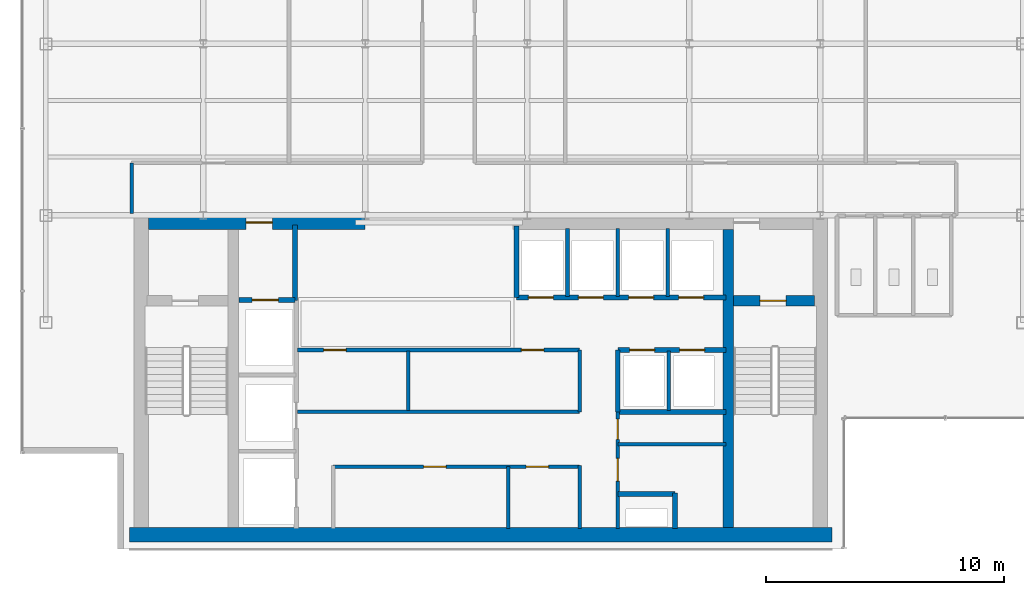
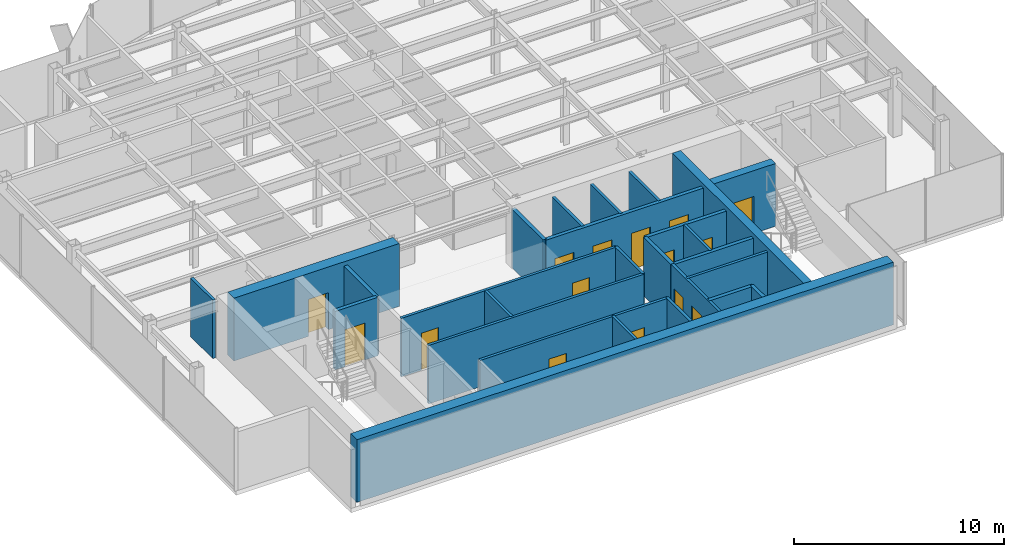
# One storey, part 17 of 22: 27 walls, 15 doors, 15 openings.
"""IFC4 building model written with IfcOpenShell, lengths in metres."""

from ifc_helpers import new_model, si_unit, derived_unit, direction, frame, frame_2d, origin, place, context, subcontext, project, spatial, rectangle, extrude, source, transform, mapped, material, layer, layer_set, type_object, element, fill, save


model = new_model("IFC4")

# Units and contexts
model_context = context("Model", 3, precision=1e-05, world=origin(), true_north=direction((0.0, 1.0)))
body_context = subcontext(model_context, "Body", "Model", "MODEL_VIEW")
ifc_project = project(units=[si_unit("LENGTHUNIT", "METRE"), si_unit("AREAUNIT", "SQUARE_METRE"), si_unit("VOLUMEUNIT", "CUBIC_METRE"), si_unit("PLANEANGLEUNIT", "RADIAN"), si_unit("MASSUNIT", "GRAM", prefix="KILO"), derived_unit("THERMALTRANSMITTANCEUNIT", [(si_unit("POWERUNIT", "WATT"), 1), (si_unit("LENGTHUNIT", "METRE"), -2), (si_unit("THERMODYNAMICTEMPERATUREUNIT", "KELVIN"), -1)])], contexts=[model_context])

# Site, building, storey
site_placement = place(None, origin())
site = spatial("IfcSite", under=ifc_project, at=site_placement, CompositionType="ELEMENT")
building_placement = place(site_placement, origin())
building = spatial("IfcBuilding", under=site, at=building_placement, Name="Skarnbrae Concourse Arena and Tower", CompositionType="ELEMENT")
storey_placement = place(building_placement, frame((0.0, 0.0, 214.14990234375)))
storey = spatial("IfcBuildingStorey", under=building, at=storey_placement, Name="L55", CompositionType="ELEMENT", Elevation=214.14990234375)

# Wall, opening, door
ifc_material_1 = material(Name="Concrete 50 MPa (C50/60)", Category="concrete")
ifc_layer_1 = layer(ifc_material_1, 0.449951171875)
ifc_layer_set_1 = layer_set([ifc_layer_1], Name="Concrete 50 MPa (C50/60)")
wall_type_1 = type_object("IfcWallType", Name="WALL-CORE-450-C50", PredefinedType="SHEAR", material=ifc_layer_set_1)
shared_shape_1 = source(origin(), body_context, "Body", "SweptSolid", [
    extrude(rectangle(XDim=3.389892578125, YDim=0.449951171875, at=frame_2d((1.69482421875, 0.0))), origin(), (0.0, 0.0, 1.0), 3.650146484375),
])
wall_1_placement = place(storey_placement, frame((29.860107421875, 10.419921875, 0.0), z_axis=(0.0, 0.0, 1.0), x_axis=(1.0, 0.0, 0.0)))
wall_1 = element("IfcWall", 1, at=wall_1_placement, inside=storey, type_object=wall_type_1, Name="L55 Rear core shear wall CW-ST2-N", PredefinedType="SHEAR", context=body_context, shape_type="MappedRepresentation", body=[
    mapped(shared_shape_1, transform((0.0, 0.0, 0.0))),
])
opening_1_placement = place(wall_1_placement, frame((1.10009765625, 0.0, 0.0)))
opening_1 = element("IfcOpeningElement", 2, at=opening_1_placement, cuts=wall_1, Name="Opening DT-03", PredefinedType="OPENING", context=body_context, shape_type="SweptSolid", body=[
    extrude(rectangle(XDim=1.10009765625, YDim=2.14990234375, at=frame_2d((0.550048828125, 1.074951171875))), frame((0.0, 0.23486328125, 0.0), z_axis=(0.0, -1.0, 0.0), x_axis=(1.0, 0.0, 0.0)), (0.0, 0.0, 1.0), 0.469970703125),
])
ifc_material_2 = material(Name="Steel CSA G40.21 350W", Category="steel")
door_type_1 = type_object("IfcDoorType", Name="DOOR-FIRE-1100-90M", OperationType="NOTDEFINED", PredefinedType="DOOR", material=ifc_material_2)
shared_shape_2 = source(origin(), body_context, "Body", "SweptSolid", [
    extrude(rectangle(XDim=1.10009765625, YDim=2.14990234375, at=frame_2d((0.550048828125, 1.074951171875))), frame((0.0, 0.02490234375, 0.0), z_axis=(0.0, -1.0, 0.0), x_axis=(1.0, 0.0, 0.0)), (0.0, 0.0, 1.0), 0.050048828125),
])
door_1_placement = place(opening_1_placement, frame((1.10009765625, 0.0, 0.0), z_axis=(0.0, 0.0, 1.0), x_axis=(-1.0, 0.0, 0.0)))
door_1 = element("IfcDoor", 3, at=door_1_placement, inside=storey, type_object=door_type_1, Name="D-1673 Stair ST-2 Door", OperationType="SINGLE_SWING_RIGHT", OverallHeight=2.14990234375, OverallWidth=1.10009765625, PredefinedType="DOOR", context=body_context, shape_type="MappedRepresentation", body=[
    mapped(shared_shape_2, transform((0.0, 0.0, 0.0))),
])
fill(opening_1, door_1)

# Wall
ifc_layer_2 = layer(ifc_material_1, 0.60009765625)
ifc_layer_set_2 = layer_set([ifc_layer_2], Name="Concrete 50 MPa (C50/60)")
wall_type_2 = type_object("IfcWallType", Name="WALL-CORE-600-C50", PredefinedType="SHEAR", material=ifc_layer_set_2)
shared_shape_3 = source(origin(), body_context, "Body", "SweptSolid", [
    extrude(rectangle(XDim=29.5, YDim=0.60009765625, at=frame_2d((14.75, 0.0))), origin(), (0.0, 0.0, 1.0), 3.650146484375),
])
wall_2_placement = place(storey_placement, frame((4.5, 0.60009765625, 0.0), z_axis=(0.0, 0.0, 1.0), x_axis=(1.0, 0.0, 0.0)))
element("IfcWall", 4, at=wall_2_placement, inside=storey, type_object=wall_type_2, Name="L55 Rear core shear wall CW-S", PredefinedType="SHEAR", context=body_context, shape_type="MappedRepresentation", body=[
    mapped(shared_shape_3, transform((0.0, 0.0, 0.0))),
])

# Wall, opening, door
shared_shape_4 = source(origin(), body_context, "Body", "SweptSolid", [
    extrude(rectangle(XDim=9.099853515625, YDim=0.60009765625, at=frame_2d((4.5498046875, 0.0))), origin(), (0.0, 0.0, 1.0), 3.650146484375),
])
wall_3_placement = place(storey_placement, frame((5.300048828125, 13.699951171875, 0.0), z_axis=(0.0, 0.0, 1.0), x_axis=(1.0, 0.0, 0.0)))
wall_3 = element("IfcWall", 5, at=wall_3_placement, inside=storey, type_object=wall_type_2, Name="L55 Rear core shear wall CW-NW", PredefinedType="SHEAR", context=body_context, shape_type="MappedRepresentation", body=[
    mapped(shared_shape_4, transform((0.0, 0.0, 0.0))),
])
opening_2_placement = place(wall_3_placement, frame((4.10009765625, 0.0, 0.0)))
opening_2 = element("IfcOpeningElement", 6, at=opening_2_placement, cuts=wall_3, Name="Opening DT-03", PredefinedType="OPENING", context=body_context, shape_type="SweptSolid", body=[
    extrude(rectangle(XDim=1.10009765625, YDim=2.14990234375, at=frame_2d((0.550048828125, 1.074951171875))), frame((0.0, 0.31005859375, 0.0), z_axis=(0.0, -1.0, 0.0), x_axis=(1.0, 0.0, 0.0)), (0.0, 0.0, 1.0), 0.6201171875),
])
door_2_placement = place(opening_2_placement, origin())
door_2 = element("IfcDoor", 7, at=door_2_placement, inside=storey, type_object=door_type_1, Name="D-1674 Firefighting Lobby Exit Door", OperationType="SINGLE_SWING_RIGHT", OverallHeight=2.14990234375, OverallWidth=1.10009765625, PredefinedType="DOOR", context=body_context, shape_type="MappedRepresentation", body=[
    mapped(shared_shape_2, transform((0.0, 0.0, 0.0))),
])
fill(opening_2, door_2)

# Walls
shared_shape_5 = source(origin(), body_context, "Body", "SweptSolid", [
    extrude(rectangle(XDim=12.5, YDim=0.449951171875, at=frame_2d((6.25, 0.0))), origin(), (0.0, 0.0, 1.0), 3.650146484375),
])
wall_4_placement = place(storey_placement, frame((29.635009765625, 0.89990234375, 0.0), z_axis=(0.0, 0.0, 1.0), x_axis=(0.0, 1.0, 0.0)))
element("IfcWall", 8, at=wall_4_placement, inside=storey, type_object=wall_type_1, Name="L55 Rear core shear wall CW-WEB-E", PredefinedType="SHEAR", context=body_context, shape_type="MappedRepresentation", body=[
    mapped(shared_shape_5, transform((0.0, 0.0, 0.0))),
])
ifc_material_3 = material(Name="Gypsum board on cold-formed steel studs", Category="steel")
ifc_layer_3 = layer(ifc_material_3, 0.199951171875)
ifc_layer_set_3 = layer_set([ifc_layer_3], Name="Gypsum board on cold-formed steel studs")
wall_type_3 = type_object("IfcWallType", Name="WALL-PART-200-2HR", PredefinedType="PARTITIONING", material=ifc_layer_set_3)
shared_shape_6 = source(origin(), body_context, "Body", "SweptSolid", [
    extrude(rectangle(XDim=3.18017578125, YDim=0.199951171875, at=frame_2d((1.590087890625, 0.0))), origin(), (0.0, 0.0, 1.0), 3.400146484375),
])
wall_5_placement = place(storey_placement, frame((11.449951171875, 10.419921875, 0.0), z_axis=(0.0, 0.0, 1.0), x_axis=(0.0, 1.0, 0.0)))
element("IfcWall", 9, at=wall_5_placement, inside=storey, type_object=wall_type_3, Name="L55 Interior partition wall W-L55-FFL-E", PredefinedType="PARTITIONING", context=body_context, shape_type="MappedRepresentation", body=[
    mapped(shared_shape_6, transform((0.0, 0.0, 0.0))),
])

# Wall, opening, door
shared_shape_7 = source(origin(), body_context, "Body", "SweptSolid", [
    extrude(rectangle(XDim=2.349853515625, YDim=0.199951171875, at=frame_2d((1.1748046875, 0.0))), origin(), (0.0, 0.0, 1.0), 3.400146484375),
])
wall_6_placement = place(storey_placement, frame((9.10009765625, 10.449951171875, 0.0), z_axis=(0.0, 0.0, 1.0), x_axis=(1.0, 0.0, 0.0)))
wall_6 = element("IfcWall", 10, at=wall_6_placement, inside=storey, type_object=wall_type_3, Name="L55 Interior partition wall W-L55-FL1-N", PredefinedType="PARTITIONING", context=body_context, shape_type="MappedRepresentation", body=[
    mapped(shared_shape_7, transform((0.0, 0.0, 0.0))),
])
opening_3_placement = place(wall_6_placement, frame((0.550048828125, 0.0, 0.0)))
opening_3 = element("IfcOpeningElement", 11, at=opening_3_placement, cuts=wall_6, Name="Opening LD-01", PredefinedType="OPENING", context=body_context, shape_type="SweptSolid", body=[
    extrude(rectangle(XDim=1.10009765625, YDim=2.14990234375, at=frame_2d((0.550048828125, 1.074951171875))), frame((0.0, 0.10986328125, 0.0), z_axis=(0.0, -1.0, 0.0), x_axis=(1.0, 0.0, 0.0)), (0.0, 0.0, 1.0), 0.219970703125),
])
door_type_2 = type_object("IfcDoorType", Name="DOOR-LIFT-SLIDE-1100", OperationType="SLIDING_TO_LEFT", PredefinedType="DOOR", material=ifc_material_2)
door_3_placement = place(opening_3_placement, origin())
door_3 = element("IfcDoor", 12, at=door_3_placement, inside=storey, type_object=door_type_2, Name="D-1676 Firefighting Lift Landing Door FL-01", OperationType="SLIDING_TO_LEFT", OverallHeight=2.14990234375, OverallWidth=1.10009765625, PredefinedType="DOOR", context=body_context, shape_type="MappedRepresentation", body=[
    mapped(shared_shape_2, transform((0.0, 0.0, 0.0))),
])
fill(opening_3, door_3)

# Walls
ifc_layer_4 = layer(ifc_material_3, 0.14990234375)
ifc_layer_set_4 = layer_set([ifc_layer_4], Name="Gypsum board on cold-formed steel studs")
wall_type_4 = type_object("IfcWallType", Name="WALL-PART-150", PredefinedType="PARTITIONING", material=ifc_layer_set_4)
shared_shape_8 = source(origin(), body_context, "Body", "SweptSolid", [
    extrude(rectangle(XDim=2.599853515625, YDim=0.14990234375, at=frame_2d((1.2998046875, 0.0))), origin(), (0.0, 0.0, 1.0), 3.400146484375),
])
wall_7_placement = place(storey_placement, frame((20.39990234375, 0.85009765625, 0.0), z_axis=(0.0, 0.0, 1.0), x_axis=(0.0, 1.0, 0.0)))
element("IfcWall", 13, at=wall_7_placement, inside=storey, type_object=wall_type_4, Name="L55 Interior partition wall W-L55-B1M-C1", PredefinedType="PARTITIONING", context=body_context, shape_type="MappedRepresentation", body=[
    mapped(shared_shape_8, transform((0.0, 0.0, 0.0))),
])
shared_shape_9 = source(origin(), body_context, "Body", "SweptSolid", [
    extrude(rectangle(XDim=2.60009765625, YDim=0.199951171875, at=frame_2d((1.300048828125, 0.0))), origin(), (0.0, 0.0, 1.0), 3.400146484375),
])
wall_8_placement = place(storey_placement, frame((25.0, 5.75, 0.0), z_axis=(0.0, 0.0, 1.0), x_axis=(0.0, 1.0, 0.0)))
element("IfcWall", 14, at=wall_8_placement, inside=storey, type_object=wall_type_3, Name="L55 Interior partition wall W-L55-B3S-W", PredefinedType="PARTITIONING", context=body_context, shape_type="MappedRepresentation", body=[
    mapped(shared_shape_9, transform((0.0, 0.0, 0.0))),
])
shared_shape_10 = source(origin(), body_context, "Body", "SweptSolid", [
    extrude(rectangle(XDim=2.5, YDim=0.14990234375, at=frame_2d((1.25, 0.0))), origin(), (0.0, 0.0, 1.0), 3.400146484375),
])
for number, where, z_axis, x_axis, name in (
    (15, (16.199951171875, 5.800048828125, 0.0), (0.0, 0.0, 1.0), (0.0, 1.0, 0.0), "L55 Interior partition wall W-L55-B2M-MID"),
    (16, (27.139892578125, 5.800048828125, 0.0), (0.0, 0.0, 1.0), (0.0, 1.0, 0.0), "L55 Interior partition wall W-L55-B3S-P1"),
):
    element("IfcWall", number, at=place(storey_placement, frame(where, z_axis=z_axis, x_axis=x_axis)), inside=storey, type_object=wall_type_4, Name=name, PredefinedType="PARTITIONING", context=body_context, shape_type="MappedRepresentation", body=[
        mapped(shared_shape_10, transform((0.0, 0.0, 0.0))),
    ])

# Wall, openings, doors
shared_shape_11 = source(origin(), body_context, "Body", "SweptSolid", [
    extrude(rectangle(XDim=8.800048828125, YDim=0.199951171875, at=frame_2d((4.39990234375, 0.0))), origin(), (0.0, 0.0, 1.0), 3.400146484375),
])
wall_9_placement = place(storey_placement, frame((20.75, 10.550048828125, 0.0), z_axis=(0.0, 0.0, 1.0), x_axis=(1.0, 0.0, 0.0)))
wall_9 = element("IfcWall", 17, at=wall_9_placement, inside=storey, type_object=wall_type_3, Name="L55 Interior partition wall W-L55-B3N-S", PredefinedType="PARTITIONING", context=body_context, shape_type="MappedRepresentation", body=[
    mapped(shared_shape_11, transform((0.0, 0.0, 0.0))),
])
opening_4_placement = place(wall_9_placement, frame((0.5, 0.0, 0.0)))
opening_4 = element("IfcOpeningElement", 18, at=opening_4_placement, cuts=wall_9, Name="Opening LD-04", PredefinedType="OPENING", context=body_context, shape_type="SweptSolid", body=[
    extrude(rectangle(XDim=1.050048828125, YDim=2.14990234375, at=frame_2d((0.52490234375, 1.074951171875))), frame((0.0, 0.10986328125, 0.0), z_axis=(0.0, -1.0, 0.0), x_axis=(1.0, 0.0, 0.0)), (0.0, 0.0, 1.0), 0.219970703125),
])
opening_5_placement = place(wall_9_placement, frame((2.60009765625, 0.0, 0.0)))
opening_5 = element("IfcOpeningElement", 19, at=opening_5_placement, cuts=wall_9, Name="Opening LD-04", PredefinedType="OPENING", context=body_context, shape_type="SweptSolid", body=[
    extrude(rectangle(XDim=1.050048828125, YDim=2.14990234375, at=frame_2d((0.52490234375, 1.074951171875))), frame((0.0, 0.10986328125, 0.0), z_axis=(0.0, -1.0, 0.0), x_axis=(1.0, 0.0, 0.0)), (0.0, 0.0, 1.0), 0.219970703125),
])
opening_6_placement = place(wall_9_placement, frame((4.699951171875, 0.0, 0.0)))
opening_6 = element("IfcOpeningElement", 20, at=opening_6_placement, cuts=wall_9, Name="Opening LD-04", PredefinedType="OPENING", context=body_context, shape_type="SweptSolid", body=[
    extrude(rectangle(XDim=1.050048828125, YDim=2.14990234375, at=frame_2d((0.52490234375, 1.074951171875))), frame((0.0, 0.10986328125, 0.0), z_axis=(0.0, -1.0, 0.0), x_axis=(1.0, 0.0, 0.0)), (0.0, 0.0, 1.0), 0.219970703125),
])
opening_7_placement = place(wall_9_placement, frame((6.800048828125, 0.0, 0.0)))
opening_7 = element("IfcOpeningElement", 21, at=opening_7_placement, cuts=wall_9, Name="Opening LD-04", PredefinedType="OPENING", context=body_context, shape_type="SweptSolid", body=[
    extrude(rectangle(XDim=1.050048828125, YDim=2.14990234375, at=frame_2d((0.52490234375, 1.074951171875))), frame((0.0, 0.10986328125, 0.0), z_axis=(0.0, -1.0, 0.0), x_axis=(1.0, 0.0, 0.0)), (0.0, 0.0, 1.0), 0.219970703125),
])
ifc_material_4 = material(Name="Bronze anodised aluminium 6063-T6", Category="aluminium")
door_type_3 = type_object("IfcDoorType", Name="DOOR-LIFT-SLIDE-1050H", OperationType="SLIDING_TO_LEFT", PredefinedType="DOOR", material=ifc_material_4)
shared_shape_12 = source(origin(), body_context, "Body", "SweptSolid", [
    extrude(rectangle(XDim=1.050048828125, YDim=2.14990234375, at=frame_2d((0.52490234375, 1.074951171875))), frame((0.0, 0.02490234375, 0.0), z_axis=(0.0, -1.0, 0.0), x_axis=(1.0, 0.0, 0.0)), (0.0, 0.0, 1.0), 0.050048828125),
])
door_4_placement = place(opening_4_placement, frame((1.050048828125, 0.0, 0.0), z_axis=(0.0, 0.0, 1.0), x_axis=(-1.0, 0.0, 0.0)))
door_4 = element("IfcDoor", 22, at=door_4_placement, inside=storey, type_object=door_type_3, Name="D-1683 Passenger Lift Landing Door PL-3A", OperationType="SLIDING_TO_LEFT", OverallHeight=2.14990234375, OverallWidth=1.050048828125, PredefinedType="DOOR", context=body_context, shape_type="MappedRepresentation", body=[
    mapped(shared_shape_12, transform((0.0, 0.0, 0.0))),
])
fill(opening_4, door_4)
door_5_placement = place(opening_5_placement, frame((1.050048828125, 0.0, 0.0), z_axis=(0.0, 0.0, 1.0), x_axis=(-1.0, 0.0, 0.0)))
door_5 = element("IfcDoor", 23, at=door_5_placement, inside=storey, type_object=door_type_3, Name="D-1684 Passenger Lift Landing Door PL-3B", OperationType="SLIDING_TO_LEFT", OverallHeight=2.14990234375, OverallWidth=1.050048828125, PredefinedType="DOOR", context=body_context, shape_type="MappedRepresentation", body=[
    mapped(shared_shape_12, transform((0.0, 0.0, 0.0))),
])
fill(opening_5, door_5)
door_6_placement = place(opening_6_placement, frame((1.050048828125, 0.0, 0.0), z_axis=(0.0, 0.0, 1.0), x_axis=(-1.0, 0.0, 0.0)))
door_6 = element("IfcDoor", 24, at=door_6_placement, inside=storey, type_object=door_type_3, Name="D-1685 Passenger Lift Landing Door PL-3C", OperationType="SLIDING_TO_LEFT", OverallHeight=2.14990234375, OverallWidth=1.050048828125, PredefinedType="DOOR", context=body_context, shape_type="MappedRepresentation", body=[
    mapped(shared_shape_12, transform((0.0, 0.0, 0.0))),
])
fill(opening_6, door_6)
door_7_placement = place(opening_7_placement, frame((1.050048828125, 0.0, 0.0), z_axis=(0.0, 0.0, 1.0), x_axis=(-1.0, 0.0, 0.0)))
door_7 = element("IfcDoor", 25, at=door_7_placement, inside=storey, type_object=door_type_3, Name="D-1686 Passenger Lift Landing Door PL-3D", OperationType="SLIDING_TO_LEFT", OverallHeight=2.14990234375, OverallWidth=1.050048828125, PredefinedType="DOOR", context=body_context, shape_type="MappedRepresentation", body=[
    mapped(shared_shape_12, transform((0.0, 0.0, 0.0))),
])
fill(opening_7, door_7)

# Walls
shared_shape_13 = source(origin(), body_context, "Body", "SweptSolid", [
    extrude(rectangle(XDim=3.0, YDim=0.199951171875, at=frame_2d((1.5, 0.0))), origin(), (0.0, 0.0, 1.0), 3.400146484375),
])
wall_10_placement = place(storey_placement, frame((20.75, 10.550048828125, 0.0), z_axis=(0.0, 0.0, 1.0), x_axis=(0.0, 1.0, 0.0)))
element("IfcWall", 26, at=wall_10_placement, inside=storey, type_object=wall_type_3, Name="L55 Interior partition wall W-L55-B3N-W", PredefinedType="PARTITIONING", context=body_context, shape_type="MappedRepresentation", body=[
    mapped(shared_shape_13, transform((0.0, 0.0, 0.0))),
])
shared_shape_14 = source(origin(), body_context, "Body", "SweptSolid", [
    extrude(rectangle(XDim=2.849853515625, YDim=0.14990234375, at=frame_2d((1.4248046875, 0.0))), origin(), (0.0, 0.0, 1.0), 3.400146484375),
])
for number, where, z_axis, x_axis, name in (
    (27, (22.889892578125, 10.60009765625, 0.0), (0.0, 0.0, 1.0), (0.0, 1.0, 0.0), "L55 Interior partition wall W-L55-B3N-P1"),
    (28, (24.989990234375, 10.60009765625, 0.0), (0.0, 0.0, 1.0), (0.0, 1.0, 0.0), "L55 Interior partition wall W-L55-B3N-P2"),
    (29, (27.090087890625, 10.60009765625, 0.0), (0.0, 0.0, 1.0), (0.0, 1.0, 0.0), "L55 Interior partition wall W-L55-B3N-P3"),
):
    element("IfcWall", number, at=place(storey_placement, frame(where, z_axis=z_axis, x_axis=x_axis)), inside=storey, type_object=wall_type_4, Name=name, PredefinedType="PARTITIONING", context=body_context, shape_type="MappedRepresentation", body=[
        mapped(shared_shape_14, transform((0.0, 0.0, 0.0))),
    ])

# Wall, openings, doors
shared_shape_15 = source(origin(), body_context, "Body", "SweptSolid", [
    extrude(rectangle(XDim=4.550048828125, YDim=0.199951171875, at=frame_2d((2.27490234375, 0.0))), origin(), (0.0, 0.0, 1.0), 3.400146484375),
])
wall_11_placement = place(storey_placement, frame((25.0, 8.35009765625, 0.0), z_axis=(0.0, 0.0, 1.0), x_axis=(1.0, 0.0, 0.0)))
wall_11 = element("IfcWall", 30, at=wall_11_placement, inside=storey, type_object=wall_type_3, Name="L55 Interior partition wall W-L55-B3S-N", PredefinedType="PARTITIONING", context=body_context, shape_type="MappedRepresentation", body=[
    mapped(shared_shape_15, transform((0.0, 0.0, 0.0))),
])
opening_8_placement = place(wall_11_placement, frame((0.5, 0.0, 0.0)))
opening_8 = element("IfcOpeningElement", 31, at=opening_8_placement, cuts=wall_11, Name="Opening LD-04", PredefinedType="OPENING", context=body_context, shape_type="SweptSolid", body=[
    extrude(rectangle(XDim=1.050048828125, YDim=2.14990234375, at=frame_2d((0.52490234375, 1.074951171875))), frame((0.0, 0.10986328125, 0.0), z_axis=(0.0, -1.0, 0.0), x_axis=(1.0, 0.0, 0.0)), (0.0, 0.0, 1.0), 0.219970703125),
])
opening_9_placement = place(wall_11_placement, frame((2.60009765625, 0.0, 0.0)))
opening_9 = element("IfcOpeningElement", 32, at=opening_9_placement, cuts=wall_11, Name="Opening LD-04", PredefinedType="OPENING", context=body_context, shape_type="SweptSolid", body=[
    extrude(rectangle(XDim=1.050048828125, YDim=2.14990234375, at=frame_2d((0.52490234375, 1.074951171875))), frame((0.0, 0.10986328125, 0.0), z_axis=(0.0, -1.0, 0.0), x_axis=(1.0, 0.0, 0.0)), (0.0, 0.0, 1.0), 0.219970703125),
])
door_8_placement = place(opening_8_placement, origin())
door_8 = element("IfcDoor", 33, at=door_8_placement, inside=storey, type_object=door_type_3, Name="D-1687 Passenger Lift Landing Door PL-3E", OperationType="SLIDING_TO_LEFT", OverallHeight=2.14990234375, OverallWidth=1.050048828125, PredefinedType="DOOR", context=body_context, shape_type="MappedRepresentation", body=[
    mapped(shared_shape_12, transform((0.0, 0.0, 0.0))),
])
fill(opening_8, door_8)
door_9_placement = place(opening_9_placement, origin())
door_9 = element("IfcDoor", 34, at=door_9_placement, inside=storey, type_object=door_type_3, Name="D-1688 Passenger Lift Landing Door PL-3F", OperationType="SLIDING_TO_LEFT", OverallHeight=2.14990234375, OverallWidth=1.050048828125, PredefinedType="DOOR", context=body_context, shape_type="MappedRepresentation", body=[
    mapped(shared_shape_12, transform((0.0, 0.0, 0.0))),
])
fill(opening_9, door_9)

# Wall
wall_12_placement = place(storey_placement, frame((25.0, 5.75, 0.0), z_axis=(0.0, 0.0, 1.0), x_axis=(1.0, 0.0, 0.0)))
element("IfcWall", 35, at=wall_12_placement, inside=storey, type_object=wall_type_3, Name="L55 Interior partition wall W-L55-B3S-S", PredefinedType="PARTITIONING", context=body_context, shape_type="MappedRepresentation", body=[
    mapped(shared_shape_15, transform((0.0, 0.0, 0.0))),
])

# Wall, openings, doors
ifc_layer_5 = layer(ifc_material_3, 0.14990234375)
ifc_layer_set_5 = layer_set([ifc_layer_5], Name="Gypsum board on cold-formed steel studs")
wall_type_5 = type_object("IfcWallType", Name="WALL-PART-150-1HR", PredefinedType="PARTITIONING", material=ifc_layer_set_5)
shared_shape_16 = source(origin(), body_context, "Body", "SweptSolid", [
    extrude(rectangle(XDim=4.89990234375, YDim=0.14990234375, at=frame_2d((2.449951171875, 0.0))), origin(), (0.0, 0.0, 1.0), 3.400146484375),
])
wall_13_placement = place(storey_placement, frame((25.0, 0.85009765625, 0.0), z_axis=(0.0, 0.0, 1.0), x_axis=(0.0, 1.0, 0.0)))
wall_13 = element("IfcWall", 36, at=wall_13_placement, inside=storey, type_object=wall_type_5, Name="L55 Interior partition wall W-L55-CSV-W", PredefinedType="PARTITIONING", context=body_context, shape_type="MappedRepresentation", body=[
    mapped(shared_shape_16, transform((0.0, 0.0, 0.0))),
])
opening_10_placement = place(wall_13_placement, frame((2.0, 0.0, 0.0)))
opening_10 = element("IfcOpeningElement", 37, at=opening_10_placement, cuts=wall_13, Name="Opening DT-04", PredefinedType="OPENING", context=body_context, shape_type="SweptSolid", body=[
    extrude(rectangle(XDim=0.949951171875, YDim=2.14990234375, at=frame_2d((0.47509765625, 1.074951171875))), frame((0.0, 0.0849609375, 0.0), z_axis=(0.0, -1.0, 0.0), x_axis=(1.0, 0.0, 0.0)), (0.0, 0.0, 1.0), 0.169921875),
])
opening_11_placement = place(wall_13_placement, frame((3.75, 0.0, 0.0)))
opening_11 = element("IfcOpeningElement", 38, at=opening_11_placement, cuts=wall_13, Name="Opening DT-08", PredefinedType="OPENING", context=body_context, shape_type="SweptSolid", body=[
    extrude(rectangle(XDim=0.85009765625, YDim=2.14990234375, at=frame_2d((0.425048828125, 1.074951171875))), frame((0.0, 0.0849609375, 0.0), z_axis=(0.0, -1.0, 0.0), x_axis=(1.0, 0.0, 0.0)), (0.0, 0.0, 1.0), 0.169921875),
])
door_type_4 = type_object("IfcDoorType", Name="DOOR-INT-950-45M", OperationType="NOTDEFINED", PredefinedType="DOOR", material=ifc_material_2)
shared_shape_17 = source(origin(), body_context, "Body", "SweptSolid", [
    extrude(rectangle(XDim=0.949951171875, YDim=2.14990234375, at=frame_2d((0.47509765625, 1.074951171875))), frame((0.0, 0.02490234375, 0.0), z_axis=(0.0, -1.0, 0.0), x_axis=(1.0, 0.0, 0.0)), (0.0, 0.0, 1.0), 0.050048828125),
])
door_10_placement = place(opening_10_placement, origin())
door_10 = element("IfcDoor", 39, at=door_10_placement, inside=storey, type_object=door_type_4, Name="D-1689 Telemetry Room Door", OperationType="SINGLE_SWING_LEFT", OverallHeight=2.14990234375, OverallWidth=0.949951171875, PredefinedType="DOOR", context=body_context, shape_type="MappedRepresentation", body=[
    mapped(shared_shape_17, transform((0.0, 0.0, 0.0))),
])
fill(opening_10, door_10)
door_type_5 = type_object("IfcDoorType", Name="DOOR-INT-850-45M", OperationType="NOTDEFINED", PredefinedType="DOOR", material=ifc_material_2)
shared_shape_18 = source(origin(), body_context, "Body", "SweptSolid", [
    extrude(rectangle(XDim=0.85009765625, YDim=2.14990234375, at=frame_2d((0.425048828125, 1.074951171875))), frame((0.0, 0.02490234375, 0.0), z_axis=(0.0, -1.0, 0.0), x_axis=(1.0, 0.0, 0.0)), (0.0, 0.0, 1.0), 0.050048828125),
])
door_11_placement = place(opening_11_placement, origin())
door_11 = element("IfcDoor", 40, at=door_11_placement, inside=storey, type_object=door_type_5, Name="D-1690 Recycling Room Door", OperationType="SINGLE_SWING_RIGHT", OverallHeight=2.14990234375, OverallWidth=0.85009765625, PredefinedType="DOOR", context=body_context, shape_type="MappedRepresentation", body=[
    mapped(shared_shape_18, transform((0.0, 0.0, 0.0))),
])
fill(opening_11, door_11)

# Walls
shared_shape_19 = source(origin(), body_context, "Body", "SweptSolid", [
    extrude(rectangle(XDim=2.39990234375, YDim=0.199951171875, at=frame_2d((1.199951171875, 0.0))), origin(), (0.0, 0.0, 1.0), 3.400146484375),
])
wall_14_placement = place(storey_placement, frame((25.0, 2.300048828125, 0.0), z_axis=(0.0, 0.0, 1.0), x_axis=(1.0, 0.0, 0.0)))
element("IfcWall", 41, at=wall_14_placement, inside=storey, type_object=wall_type_3, Name="L55 Interior partition wall W-L55-MEP-N", PredefinedType="PARTITIONING", context=body_context, shape_type="MappedRepresentation", body=[
    mapped(shared_shape_19, transform((0.0, 0.0, 0.0))),
])
shared_shape_20 = source(origin(), body_context, "Body", "SweptSolid", [
    extrude(rectangle(XDim=1.5, YDim=0.199951171875, at=frame_2d((0.75, 0.0))), origin(), (0.0, 0.0, 1.0), 3.400146484375),
])
wall_15_placement = place(storey_placement, frame((27.39990234375, 0.85009765625, 0.0), z_axis=(0.0, 0.0, 1.0), x_axis=(0.0, 1.0, 0.0)))
element("IfcWall", 42, at=wall_15_placement, inside=storey, type_object=wall_type_3, Name="L55 Interior partition wall W-L55-MEP-E", PredefinedType="PARTITIONING", context=body_context, shape_type="MappedRepresentation", body=[
    mapped(shared_shape_20, transform((0.0, 0.0, 0.0))),
])
shared_shape_21 = source(origin(), body_context, "Body", "SweptSolid", [
    extrude(rectangle(XDim=4.550048828125, YDim=0.14990234375, at=frame_2d((2.27490234375, 0.0))), origin(), (0.0, 0.0, 1.0), 3.400146484375),
])
wall_16_placement = place(storey_placement, frame((25.0, 4.39990234375, 0.0), z_axis=(0.0, 0.0, 1.0), x_axis=(1.0, 0.0, 0.0)))
element("IfcWall", 43, at=wall_16_placement, inside=storey, type_object=wall_type_4, Name="L55 Interior partition wall W-L55-CSV-H", PredefinedType="PARTITIONING", context=body_context, shape_type="MappedRepresentation", body=[
    mapped(shared_shape_21, transform((0.0, 0.0, 0.0))),
])
shared_shape_22 = source(origin(), body_context, "Body", "SweptSolid", [
    extrude(rectangle(XDim=2.64990234375, YDim=0.14990234375, at=frame_2d((1.324951171875, 0.0))), origin(), (0.0, 0.0, 1.0), 3.400146484375),
])
wall_17_placement = place(storey_placement, frame((23.39990234375, 0.85009765625, 0.0), z_axis=(0.0, 0.0, 1.0), x_axis=(0.0, 1.0, 0.0)))
element("IfcWall", 44, at=wall_17_placement, inside=storey, type_object=wall_type_5, Name="L55 Interior partition wall W-L55-B1M-E", PredefinedType="PARTITIONING", context=body_context, shape_type="MappedRepresentation", body=[
    mapped(shared_shape_22, transform((0.0, 0.0, 0.0))),
])

# Wall, openings, doors
shared_shape_23 = source(origin(), body_context, "Body", "SweptSolid", [
    extrude(rectangle(XDim=10.349853515625, YDim=0.14990234375, at=frame_2d((5.1748046875, 0.0))), origin(), (0.0, 0.0, 1.0), 3.400146484375),
])
wall_18_placement = place(storey_placement, frame((13.050048828125, 3.449951171875, 0.0), z_axis=(0.0, 0.0, 1.0), x_axis=(1.0, 0.0, 0.0)))
wall_18 = element("IfcWall", 45, at=wall_18_placement, inside=storey, type_object=wall_type_5, Name="L55 Interior partition wall W-L55-B1M-N", PredefinedType="PARTITIONING", context=body_context, shape_type="MappedRepresentation", body=[
    mapped(shared_shape_23, transform((0.0, 0.0, 0.0))),
])
opening_12_placement = place(wall_18_placement, frame((3.800048828125, 0.0, 0.0)))
opening_12 = element("IfcOpeningElement", 46, at=opening_12_placement, cuts=wall_18, Name="Opening DT-04", PredefinedType="OPENING", context=body_context, shape_type="SweptSolid", body=[
    extrude(rectangle(XDim=0.949951171875, YDim=2.14990234375, at=frame_2d((0.47509765625, 1.074951171875))), frame((0.0, 0.0849609375, 0.0), z_axis=(0.0, -1.0, 0.0), x_axis=(1.0, 0.0, 0.0)), (0.0, 0.0, 1.0), 0.169921875),
])
opening_13_placement = place(wall_18_placement, frame((8.10009765625, 0.0, 0.0)))
opening_13 = element("IfcOpeningElement", 47, at=opening_13_placement, cuts=wall_18, Name="Opening DT-04", PredefinedType="OPENING", context=body_context, shape_type="SweptSolid", body=[
    extrude(rectangle(XDim=0.949951171875, YDim=2.14990234375, at=frame_2d((0.47509765625, 1.074951171875))), frame((0.0, 0.0849609375, 0.0), z_axis=(0.0, -1.0, 0.0), x_axis=(1.0, 0.0, 0.0)), (0.0, 0.0, 1.0), 0.169921875),
])
door_12_placement = place(opening_12_placement, origin())
door_12 = element("IfcDoor", 48, at=door_12_placement, inside=storey, type_object=door_type_4, Name="D-1679 Staff Locker Door", OperationType="SINGLE_SWING_LEFT", OverallHeight=2.14990234375, OverallWidth=0.949951171875, PredefinedType="DOOR", context=body_context, shape_type="MappedRepresentation", body=[
    mapped(shared_shape_17, transform((0.0, 0.0, 0.0))),
])
fill(opening_12, door_12)
door_13_placement = place(opening_13_placement, origin())
door_13 = element("IfcDoor", 49, at=door_13_placement, inside=storey, type_object=door_type_4, Name="D-1680 Janitor Store Door", OperationType="SINGLE_SWING_RIGHT", OverallHeight=2.14990234375, OverallWidth=0.949951171875, PredefinedType="DOOR", context=body_context, shape_type="MappedRepresentation", body=[
    mapped(shared_shape_17, transform((0.0, 0.0, 0.0))),
])
fill(opening_13, door_13)

# Wall
shared_shape_24 = source(origin(), body_context, "Body", "SweptSolid", [
    extrude(rectangle(XDim=11.849853515625, YDim=0.14990234375, at=frame_2d((5.9248046875, 0.0))), origin(), (0.0, 0.0, 1.0), 3.400146484375),
])
wall_19_placement = place(storey_placement, frame((11.550048828125, 5.75, 0.0), z_axis=(0.0, 0.0, 1.0), x_axis=(1.0, 0.0, 0.0)))
element("IfcWall", 50, at=wall_19_placement, inside=storey, type_object=wall_type_5, Name="L55 Interior partition wall W-L55-B2M-S", PredefinedType="PARTITIONING", context=body_context, shape_type="MappedRepresentation", body=[
    mapped(shared_shape_24, transform((0.0, 0.0, 0.0))),
])

# Wall, openings, doors
wall_20_placement = place(storey_placement, frame((11.550048828125, 8.35009765625, 0.0), z_axis=(0.0, 0.0, 1.0), x_axis=(1.0, 0.0, 0.0)))
wall_20 = element("IfcWall", 51, at=wall_20_placement, inside=storey, type_object=wall_type_5, Name="L55 Interior partition wall W-L55-B2M-N", PredefinedType="PARTITIONING", context=body_context, shape_type="MappedRepresentation", body=[
    mapped(shared_shape_24, transform((0.0, 0.0, 0.0))),
])
opening_14_placement = place(wall_20_placement, frame((1.10009765625, 0.0, 0.0)))
opening_14 = element("IfcOpeningElement", 52, at=opening_14_placement, cuts=wall_20, Name="Opening DT-04", PredefinedType="OPENING", context=body_context, shape_type="SweptSolid", body=[
    extrude(rectangle(XDim=0.949951171875, YDim=2.14990234375, at=frame_2d((0.47509765625, 1.074951171875))), frame((0.0, 0.0849609375, 0.0), z_axis=(0.0, -1.0, 0.0), x_axis=(1.0, 0.0, 0.0)), (0.0, 0.0, 1.0), 0.169921875),
])
opening_15_placement = place(wall_20_placement, frame((9.39990234375, 0.0, 0.0)))
opening_15 = element("IfcOpeningElement", 53, at=opening_15_placement, cuts=wall_20, Name="Opening DT-04", PredefinedType="OPENING", context=body_context, shape_type="SweptSolid", body=[
    extrude(rectangle(XDim=0.949951171875, YDim=2.14990234375, at=frame_2d((0.47509765625, 1.074951171875))), frame((0.0, 0.0849609375, 0.0), z_axis=(0.0, -1.0, 0.0), x_axis=(1.0, 0.0, 0.0)), (0.0, 0.0, 1.0), 0.169921875),
])
door_14_placement = place(opening_14_placement, origin())
door_14 = element("IfcDoor", 54, at=door_14_placement, inside=storey, type_object=door_type_4, Name="D-1681 High-Zone Data Door", OperationType="SINGLE_SWING_RIGHT", OverallHeight=2.14990234375, OverallWidth=0.949951171875, PredefinedType="DOOR", context=body_context, shape_type="MappedRepresentation", body=[
    mapped(shared_shape_17, transform((0.0, 0.0, 0.0))),
])
fill(opening_14, door_14)
door_15_placement = place(opening_15_placement, origin())
door_15 = element("IfcDoor", 55, at=door_15_placement, inside=storey, type_object=door_type_4, Name="D-1682 Reprographics Door", OperationType="SINGLE_SWING_LEFT", OverallHeight=2.14990234375, OverallWidth=0.949951171875, PredefinedType="DOOR", context=body_context, shape_type="MappedRepresentation", body=[
    mapped(shared_shape_17, transform((0.0, 0.0, 0.0))),
])
fill(opening_15, door_15)

# Walls
shared_shape_25 = source(origin(), body_context, "Body", "SweptSolid", [
    extrude(rectangle(XDim=2.60009765625, YDim=0.14990234375, at=frame_2d((1.300048828125, 0.0))), origin(), (0.0, 0.0, 1.0), 3.400146484375),
])
wall_21_placement = place(storey_placement, frame((23.39990234375, 5.75, 0.0), z_axis=(0.0, 0.0, 1.0), x_axis=(0.0, 1.0, 0.0)))
element("IfcWall", 56, at=wall_21_placement, inside=storey, type_object=wall_type_5, Name="L55 Interior partition wall W-L55-B2M-E", PredefinedType="PARTITIONING", context=body_context, shape_type="MappedRepresentation", body=[
    mapped(shared_shape_25, transform((0.0, 0.0, 0.0))),
])
shared_shape_26 = source(origin(), body_context, "Body", "SweptSolid", [
    extrude(rectangle(XDim=2.119873046875, YDim=0.14990234375, at=frame_2d((1.06005859375, 0.0))), origin(), (0.0, 0.0, 1.0), 3.400146484375),
])
wall_22_placement = place(storey_placement, frame((4.60009765625, 14.080078125, 0.0), z_axis=(0.0, 0.0, 1.0), x_axis=(0.0, 1.0, 0.0)))
element("IfcWall", 57, at=wall_22_placement, inside=storey, type_object=wall_type_5, Name="L55 Interior partition wall W-L55-COR-01", PredefinedType="PARTITIONING", context=body_context, shape_type="MappedRepresentation", body=[
    mapped(shared_shape_26, transform((0.0, 0.0, 0.0))),
])

save(model, "model.ifc")
